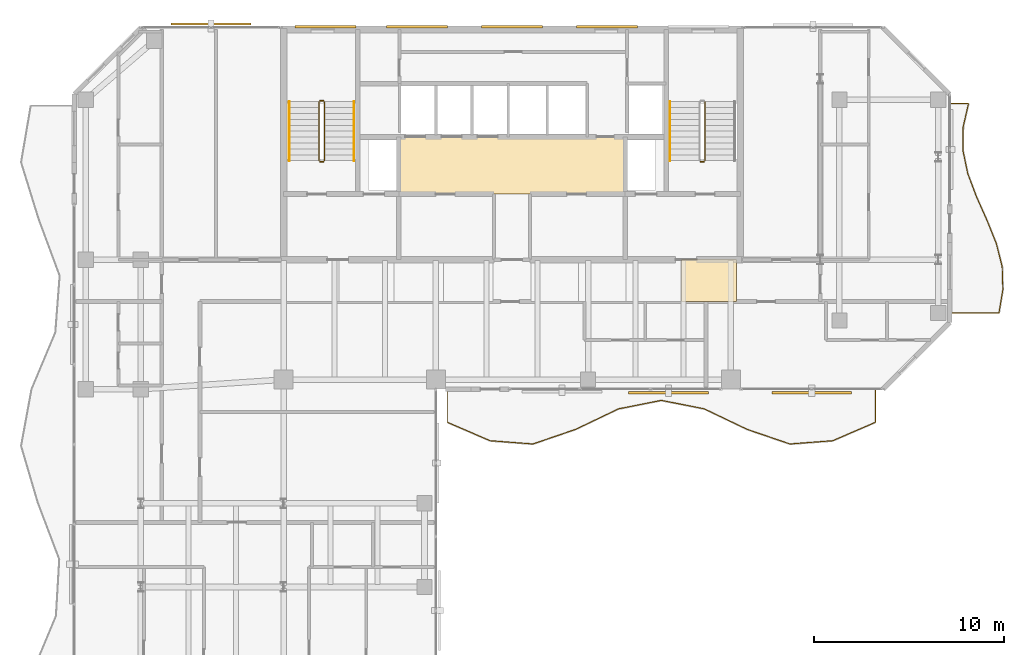
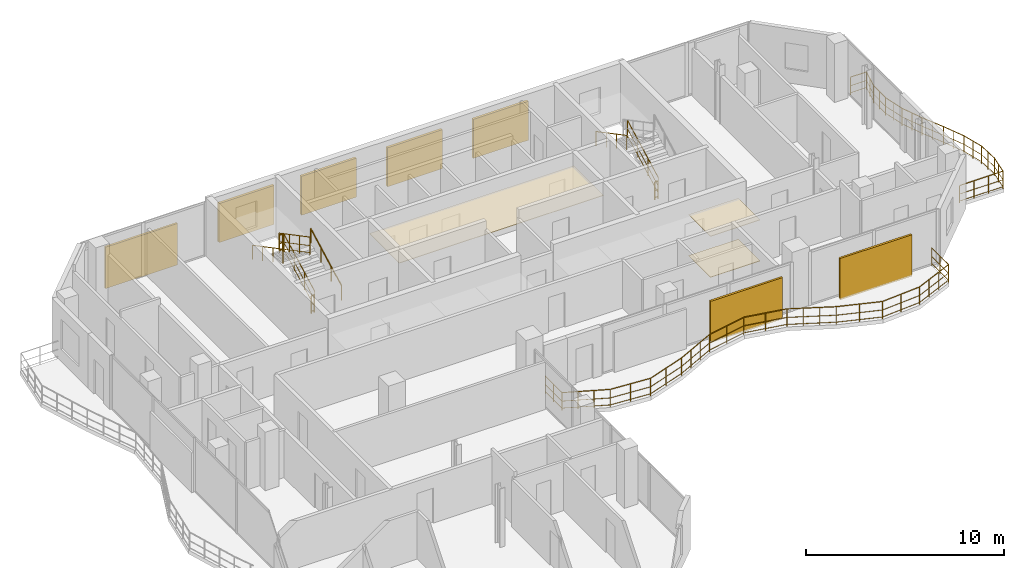
# One storey, part 22 of 23: 11 railings, 7 shading devices, 3 coverings.
"""IFC4 building model written with IfcOpenShell, lengths in metres."""

from ifc_helpers import new_model, si_unit, direction, frame, origin, origin_2d, place, context, subcontext, project, spatial, polyline, rectangle, circle, outline, extrude, material, layer, layer_set, type_object, element, save


model = new_model("IFC4")

# Units and contexts
model_context = context("Model", 3, precision=1e-05, world=origin(), true_north=direction((0.0, 1.0)))
body_context = subcontext(model_context, "Body", "Model", "MODEL_VIEW")
ifc_project = project(units=[si_unit("LENGTHUNIT", "METRE"), si_unit("AREAUNIT", "SQUARE_METRE"), si_unit("VOLUMEUNIT", "CUBIC_METRE"), si_unit("PLANEANGLEUNIT", "RADIAN"), si_unit("MASSUNIT", "GRAM", prefix="KILO")], contexts=[model_context])

# Site, building, storey
site_placement = place(None, origin())
site = spatial("IfcSite", under=ifc_project, at=site_placement, CompositionType="ELEMENT")
building_placement = place(site_placement, origin())
building = spatial("IfcBuilding", under=site, at=building_placement, Name="Catumbela Crestline Tower", CompositionType="ELEMENT")
storey_placement = place(building_placement, frame((0.0, 0.0, 190.2)))
storey = spatial("IfcBuildingStorey", under=building, at=storey_placement, Name="L49", CompositionType="ELEMENT", Elevation=190.2)

# Coverings
ifc_material_1 = material(Name="Mineral-fibre acoustic ceiling")
ifc_layer_1 = layer(ifc_material_1, 0.03, Name="Mineral-fibre acoustic ceiling")
ifc_layer_set_1 = layer_set([ifc_layer_1], Name="Mineral-fibre acoustic ceiling")
covering_type_1 = type_object("IfcCoveringType", Name="CC-AC", PredefinedType="CEILING", material=ifc_layer_set_1)
covering_1_placement = place(storey_placement, frame((0.0, 0.0, 2.65)))
element("IfcCovering", 1, at=covering_1_placement, inside=storey, type_object=covering_type_1, Name="L49 Lift Lobby Acoustic Ceiling", PredefinedType="CEILING", context=body_context, shape_type="SweptSolid", body=[
    extrude(outline(polyline([(22.05, 34.25), (33.95, 34.25), (33.95, 37.25), (22.05, 37.25), (22.05, 34.25)])), origin(), (0.0, 0.0, 1.0), 0.03),
])
covering_2_placement = place(storey_placement, frame((0.0, 0.0, 2.52)))
element("IfcCovering", 2, at=covering_2_placement, inside=storey, type_object=covering_type_1, Name="L49 Corridor Acoustic Ceiling Bay 8", PredefinedType="CEILING", context=body_context, shape_type="SweptSolid", body=[
    extrude(outline(polyline([(36.9, 28.6), (39.8, 28.6), (39.8, 30.8), (36.9, 30.8), (36.9, 28.6)])), origin(), (0.0, 0.0, 1.0), 0.03),
])
ifc_material_2 = material(Name="Angolan grey-ochre granite", Category="masonry")
ifc_layer_2 = layer(ifc_material_2, 0.025, Name="Angolan grey-ochre granite")
ifc_layer_set_2 = layer_set([ifc_layer_2], Name="Angolan grey-ochre granite")
covering_type_2 = type_object("IfcCoveringType", Name="CF-GR", PredefinedType="FLOORING", material=ifc_layer_set_2)
covering_3_placement = place(storey_placement, origin())
element("IfcCovering", 3, at=covering_3_placement, inside=storey, type_object=covering_type_2, Name="L49 Corridor Granite Flooring Bay 8", PredefinedType="FLOORING", context=body_context, shape_type="SweptSolid", body=[
    extrude(outline(polyline([(36.9, 28.6), (39.8, 28.6), (39.8, 30.8), (36.9, 30.8), (36.9, 28.6)])), origin(), (0.0, 0.0, 1.0), 0.025),
])

# Railings
ifc_material_3 = material(Name="Stainless steel EN 1.4401", Category="steel")
railing_type_1 = type_object("IfcRailingType", Name="RB-1100", PredefinedType="BALUSTRADE", material=ifc_material_3)
railing_1_placement = place(storey_placement, frame((24.6, 23.94, 0.0)))
element("IfcRailing", 4, at=railing_1_placement, inside=storey, type_object=railing_type_1, Name="L49 Private Wave Balcony Balustrade 1", PredefinedType="BALUSTRADE", context=body_context, shape_type="SweptSolid", body=[
    extrude(circle(Radius=0.024, at=origin_2d()), frame((0.0, 0.0, 1.076), z_axis=(0.0, -1.0, 0.0), x_axis=(1.0, 0.0, 0.0)), (0.0, 0.0, 1.0), 1.68),
    extrude(circle(Radius=0.0156, at=origin_2d()), frame((0.0, 0.0, 0.55), z_axis=(0.0, -1.0, 0.0), x_axis=(1.0, 0.0, 0.0)), (0.0, 0.0, 1.0), 1.68),
    extrude(circle(Radius=0.0156, at=origin_2d()), frame((0.0, 0.0, 0.12), z_axis=(0.0, -1.0, 0.0), x_axis=(1.0, 0.0, 0.0)), (0.0, 0.0, 1.0), 1.68),
    extrude(circle(Radius=0.024, at=origin_2d()), frame((0.0, -1.68, 1.076), z_axis=(0.918179780553, -0.396163969316, 0.0), x_axis=(0.396163969316, 0.918179780553, 0.0)), (0.0, 0.0, 1.0), 2.4505),
    extrude(circle(Radius=0.0156, at=origin_2d()), frame((0.0, -1.68, 0.55), z_axis=(0.918179780553, -0.396163969316, 0.0), x_axis=(0.396163969316, 0.918179780553, 0.0)), (0.0, 0.0, 1.0), 2.4505),
    extrude(circle(Radius=0.0156, at=origin_2d()), frame((0.0, -1.68, 0.12), z_axis=(0.918179780553, -0.396163969316, 0.0), x_axis=(0.396163969316, 0.918179780553, 0.0)), (0.0, 0.0, 1.0), 2.4505),
    extrude(circle(Radius=0.024, at=origin_2d()), frame((2.25, -2.6508, 1.076), z_axis=(0.997141170455, -0.075561142028, 0.0), x_axis=(0.075561142028, 0.997141170455, 0.0)), (0.0, 0.0, 1.0), 2.2565),
    extrude(circle(Radius=0.0156, at=origin_2d()), frame((2.25, -2.6508, 0.55), z_axis=(0.997141170455, -0.075561142028, 0.0), x_axis=(0.075561142028, 0.997141170455, 0.0)), (0.0, 0.0, 1.0), 2.2565),
    extrude(circle(Radius=0.0156, at=origin_2d()), frame((2.25, -2.6508, 0.12), z_axis=(0.997141170455, -0.075561142028, 0.0), x_axis=(0.075561142028, 0.997141170455, 0.0)), (0.0, 0.0, 1.0), 2.2565),
    extrude(circle(Radius=0.024, at=origin_2d()), frame((4.5, -2.8213, 1.076), z_axis=(0.946065665735, 0.323974931311, 0.0), x_axis=(-0.323974931311, 0.946065665735, 0.0)), (0.0, 0.0, 1.0), 2.3783),
    extrude(circle(Radius=0.0156, at=origin_2d()), frame((4.5, -2.8213, 0.55), z_axis=(0.946065665735, 0.323974931311, 0.0), x_axis=(-0.323974931311, 0.946065665735, 0.0)), (0.0, 0.0, 1.0), 2.3783),
    extrude(circle(Radius=0.0156, at=origin_2d()), frame((4.5, -2.8213, 0.12), z_axis=(0.946065665735, 0.323974931311, 0.0), x_axis=(-0.323974931311, 0.946065665735, 0.0)), (0.0, 0.0, 1.0), 2.3783),
    extrude(circle(Radius=0.024, at=origin_2d()), frame((6.75, -2.0508, 1.076), z_axis=(0.902132186045, 0.431459753513, 0.0), x_axis=(-0.431459753513, 0.902132186045, 0.0)), (0.0, 0.0, 1.0), 2.4941),
    extrude(circle(Radius=0.0156, at=origin_2d()), frame((6.75, -2.0508, 0.55), z_axis=(0.902132186045, 0.431459753513, 0.0), x_axis=(-0.431459753513, 0.902132186045, 0.0)), (0.0, 0.0, 1.0), 2.4941),
    extrude(circle(Radius=0.0156, at=origin_2d()), frame((6.75, -2.0508, 0.12), z_axis=(0.902132186045, 0.431459753513, 0.0), x_axis=(-0.431459753513, 0.902132186045, 0.0)), (0.0, 0.0, 1.0), 2.4941),
    extrude(circle(Radius=0.024, at=origin_2d()), frame((9.0, -0.9747, 1.076), z_axis=(0.981022553047, 0.193893657484, 0.0), x_axis=(-0.193893657484, 0.981022553047, 0.0)), (0.0, 0.0, 1.0), 2.2935),
    extrude(circle(Radius=0.0156, at=origin_2d()), frame((9.0, -0.9747, 0.55), z_axis=(0.981022553047, 0.193893657484, 0.0), x_axis=(-0.193893657484, 0.981022553047, 0.0)), (0.0, 0.0, 1.0), 2.2935),
    extrude(circle(Radius=0.0156, at=origin_2d()), frame((9.0, -0.9747, 0.12), z_axis=(0.981022553047, 0.193893657484, 0.0), x_axis=(-0.193893657484, 0.981022553047, 0.0)), (0.0, 0.0, 1.0), 2.2935),
    extrude(circle(Radius=0.024, at=origin_2d()), frame((11.25, -0.53, 1.076), z_axis=(0.981022553047, -0.193893657484, 0.0), x_axis=(0.193893657484, 0.981022553047, 0.0)), (0.0, 0.0, 1.0), 2.2935),
    extrude(circle(Radius=0.0156, at=origin_2d()), frame((11.25, -0.53, 0.55), z_axis=(0.981022553047, -0.193893657484, 0.0), x_axis=(0.193893657484, 0.981022553047, 0.0)), (0.0, 0.0, 1.0), 2.2935),
    extrude(circle(Radius=0.0156, at=origin_2d()), frame((11.25, -0.53, 0.12), z_axis=(0.981022553047, -0.193893657484, 0.0), x_axis=(0.193893657484, 0.981022553047, 0.0)), (0.0, 0.0, 1.0), 2.2935),
    extrude(circle(Radius=0.024, at=origin_2d()), frame((13.5, -0.9747, 1.076), z_axis=(0.902132186045, -0.431459753513, 0.0), x_axis=(0.431459753513, 0.902132186045, 0.0)), (0.0, 0.0, 1.0), 2.4941),
    extrude(circle(Radius=0.0156, at=origin_2d()), frame((13.5, -0.9747, 0.55), z_axis=(0.902132186045, -0.431459753513, 0.0), x_axis=(0.431459753513, 0.902132186045, 0.0)), (0.0, 0.0, 1.0), 2.4941),
    extrude(circle(Radius=0.0156, at=origin_2d()), frame((13.5, -0.9747, 0.12), z_axis=(0.902132186045, -0.431459753513, 0.0), x_axis=(0.431459753513, 0.902132186045, 0.0)), (0.0, 0.0, 1.0), 2.4941),
    extrude(circle(Radius=0.024, at=origin_2d()), frame((15.75, -2.0508, 1.076), z_axis=(0.946065665735, -0.323974931311, 0.0), x_axis=(0.323974931311, 0.946065665735, 0.0)), (0.0, 0.0, 1.0), 2.3783),
    extrude(circle(Radius=0.0156, at=origin_2d()), frame((15.75, -2.0508, 0.55), z_axis=(0.946065665735, -0.323974931311, 0.0), x_axis=(0.323974931311, 0.946065665735, 0.0)), (0.0, 0.0, 1.0), 2.3783),
    extrude(circle(Radius=0.0156, at=origin_2d()), frame((15.75, -2.0508, 0.12), z_axis=(0.946065665735, -0.323974931311, 0.0), x_axis=(0.323974931311, 0.946065665735, 0.0)), (0.0, 0.0, 1.0), 2.3783),
    extrude(circle(Radius=0.024, at=origin_2d()), frame((18.0, -2.8213, 1.076), z_axis=(0.997141170455, 0.075561142028, 0.0), x_axis=(-0.075561142028, 0.997141170455, 0.0)), (0.0, 0.0, 1.0), 2.2565),
    extrude(circle(Radius=0.0156, at=origin_2d()), frame((18.0, -2.8213, 0.55), z_axis=(0.997141170455, 0.075561142028, 0.0), x_axis=(-0.075561142028, 0.997141170455, 0.0)), (0.0, 0.0, 1.0), 2.2565),
    extrude(circle(Radius=0.0156, at=origin_2d()), frame((18.0, -2.8213, 0.12), z_axis=(0.997141170455, 0.075561142028, 0.0), x_axis=(-0.075561142028, 0.997141170455, 0.0)), (0.0, 0.0, 1.0), 2.2565),
    extrude(circle(Radius=0.024, at=origin_2d()), frame((20.25, -2.6508, 1.076), z_axis=(0.918179780553, 0.396163969316, 0.0), x_axis=(-0.396163969316, 0.918179780553, 0.0)), (0.0, 0.0, 1.0), 2.4505),
    extrude(circle(Radius=0.0156, at=origin_2d()), frame((20.25, -2.6508, 0.55), z_axis=(0.918179780553, 0.396163969316, 0.0), x_axis=(-0.396163969316, 0.918179780553, 0.0)), (0.0, 0.0, 1.0), 2.4505),
    extrude(circle(Radius=0.0156, at=origin_2d()), frame((20.25, -2.6508, 0.12), z_axis=(0.918179780553, 0.396163969316, 0.0), x_axis=(-0.396163969316, 0.918179780553, 0.0)), (0.0, 0.0, 1.0), 2.4505),
    extrude(circle(Radius=0.024, at=origin_2d()), frame((22.5, -1.68, 1.076), z_axis=(0.0, 1.0, 0.0), x_axis=(-1.0, 0.0, 0.0)), (0.0, 0.0, 1.0), 1.68),
    extrude(circle(Radius=0.0156, at=origin_2d()), frame((22.5, -1.68, 0.55), z_axis=(0.0, 1.0, 0.0), x_axis=(-1.0, 0.0, 0.0)), (0.0, 0.0, 1.0), 1.68),
    extrude(circle(Radius=0.0156, at=origin_2d()), frame((22.5, -1.68, 0.12), z_axis=(0.0, 1.0, 0.0), x_axis=(-1.0, 0.0, 0.0)), (0.0, 0.0, 1.0), 1.68),
    extrude(circle(Radius=0.021, at=origin_2d()), origin(), (0.0, 0.0, 1.0), 1.052),
    extrude(circle(Radius=0.021, at=origin_2d()), frame((0.0, -0.84, 0.0)), (0.0, 0.0, 1.0), 1.052),
    extrude(circle(Radius=0.021, at=origin_2d()), frame((0.0, -1.68, 0.0)), (0.0, 0.0, 1.0), 1.052),
    extrude(circle(Radius=0.021, at=origin_2d()), frame((0.75, -2.0036, 0.0)), (0.0, 0.0, 1.0), 1.052),
    extrude(circle(Radius=0.021, at=origin_2d()), frame((1.5, -2.3272, 0.0)), (0.0, 0.0, 1.0), 1.052),
    extrude(circle(Radius=0.021, at=origin_2d()), frame((2.25, -2.6508, 0.0)), (0.0, 0.0, 1.0), 1.052),
    extrude(circle(Radius=0.021, at=origin_2d()), frame((3.375, -2.7361, 0.0)), (0.0, 0.0, 1.0), 1.052),
    extrude(circle(Radius=0.021, at=origin_2d()), frame((4.5, -2.8213, 0.0)), (0.0, 0.0, 1.0), 1.052),
    extrude(circle(Radius=0.021, at=origin_2d()), frame((5.625, -2.4361, 0.0)), (0.0, 0.0, 1.0), 1.052),
    extrude(circle(Radius=0.021, at=origin_2d()), frame((6.75, -2.0508, 0.0)), (0.0, 0.0, 1.0), 1.052),
    extrude(circle(Radius=0.021, at=origin_2d()), frame((7.5, -1.6921, 0.0)), (0.0, 0.0, 1.0), 1.052),
    extrude(circle(Radius=0.021, at=origin_2d()), frame((8.25, -1.3334, 0.0)), (0.0, 0.0, 1.0), 1.052),
    extrude(circle(Radius=0.021, at=origin_2d()), frame((9.0, -0.9747, 0.0)), (0.0, 0.0, 1.0), 1.052),
    extrude(circle(Radius=0.021, at=origin_2d()), frame((10.125, -0.7524, 0.0)), (0.0, 0.0, 1.0), 1.052),
    extrude(circle(Radius=0.021, at=origin_2d()), frame((11.25, -0.53, 0.0)), (0.0, 0.0, 1.0), 1.052),
    extrude(circle(Radius=0.021, at=origin_2d()), frame((12.375, -0.7524, 0.0)), (0.0, 0.0, 1.0), 1.052),
    extrude(circle(Radius=0.021, at=origin_2d()), frame((13.5, -0.9747, 0.0)), (0.0, 0.0, 1.0), 1.052),
    extrude(circle(Radius=0.021, at=origin_2d()), frame((14.25, -1.3334, 0.0)), (0.0, 0.0, 1.0), 1.052),
    extrude(circle(Radius=0.021, at=origin_2d()), frame((15.0, -1.6921, 0.0)), (0.0, 0.0, 1.0), 1.052),
    extrude(circle(Radius=0.021, at=origin_2d()), frame((15.75, -2.0508, 0.0)), (0.0, 0.0, 1.0), 1.052),
    extrude(circle(Radius=0.021, at=origin_2d()), frame((16.875, -2.4361, 0.0)), (0.0, 0.0, 1.0), 1.052),
    extrude(circle(Radius=0.021, at=origin_2d()), frame((18.0, -2.8213, 0.0)), (0.0, 0.0, 1.0), 1.052),
    extrude(circle(Radius=0.021, at=origin_2d()), frame((19.125, -2.7361, 0.0)), (0.0, 0.0, 1.0), 1.052),
    extrude(circle(Radius=0.021, at=origin_2d()), frame((20.25, -2.6508, 0.0)), (0.0, 0.0, 1.0), 1.052),
    extrude(circle(Radius=0.021, at=origin_2d()), frame((21.0, -2.3272, 0.0)), (0.0, 0.0, 1.0), 1.052),
    extrude(circle(Radius=0.021, at=origin_2d()), frame((21.75, -2.0036, 0.0)), (0.0, 0.0, 1.0), 1.052),
    extrude(circle(Radius=0.021, at=origin_2d()), frame((22.5, -1.68, 0.0)), (0.0, 0.0, 1.0), 1.052),
    extrude(circle(Radius=0.021, at=origin_2d()), frame((22.5, -0.84, 0.0)), (0.0, 0.0, 1.0), 1.052),
    extrude(circle(Radius=0.021, at=origin_2d()), frame((22.5, 0.0, 0.0)), (0.0, 0.0, 1.0), 1.052),
])
railing_2_placement = place(storey_placement, frame((51.06, 28.0, 0.0)))
element("IfcRailing", 5, at=railing_2_placement, inside=storey, type_object=railing_type_1, Name="L49 Private Wave Balcony Balustrade 2", PredefinedType="BALUSTRADE", context=body_context, shape_type="SweptSolid", body=[
    extrude(circle(Radius=0.024, at=origin_2d()), frame((0.0, 0.0, 1.076), z_axis=(1.0, 0.0, 0.0), x_axis=(0.0, 1.0, 0.0)), (0.0, 0.0, 1.0), 2.526),
    extrude(circle(Radius=0.0156, at=origin_2d()), frame((0.0, 0.0, 0.55), z_axis=(1.0, 0.0, 0.0), x_axis=(0.0, 1.0, 0.0)), (0.0, 0.0, 1.0), 2.526),
    extrude(circle(Radius=0.0156, at=origin_2d()), frame((0.0, 0.0, 0.12), z_axis=(1.0, 0.0, 0.0), x_axis=(0.0, 1.0, 0.0)), (0.0, 0.0, 1.0), 2.526),
    extrude(circle(Radius=0.024, at=origin_2d()), frame((2.526, 0.0, 1.076), z_axis=(0.164634548744, 0.986354634683, 0.0), x_axis=(-0.986354634683, 0.164634548744, 0.0)), (0.0, 0.0, 1.0), 1.2391),
    extrude(circle(Radius=0.0156, at=origin_2d()), frame((2.526, 0.0, 0.55), z_axis=(0.164634548744, 0.986354634683, 0.0), x_axis=(-0.986354634683, 0.164634548744, 0.0)), (0.0, 0.0, 1.0), 1.2391),
    extrude(circle(Radius=0.0156, at=origin_2d()), frame((2.526, 0.0, 0.12), z_axis=(0.164634548744, 0.986354634683, 0.0), x_axis=(-0.986354634683, 0.164634548744, 0.0)), (0.0, 0.0, 1.0), 1.2391),
    extrude(circle(Radius=0.024, at=origin_2d()), frame((2.73, 1.2222, 1.076), z_axis=(-0.029932580812, 0.999551919915, 0.0), x_axis=(-0.999551919915, -0.029932580812, 0.0)), (0.0, 0.0, 1.0), 1.2227),
    extrude(circle(Radius=0.0156, at=origin_2d()), frame((2.73, 1.2222, 0.55), z_axis=(-0.029932580812, 0.999551919915, 0.0), x_axis=(-0.999551919915, -0.029932580812, 0.0)), (0.0, 0.0, 1.0), 1.2227),
    extrude(circle(Radius=0.0156, at=origin_2d()), frame((2.73, 1.2222, 0.12), z_axis=(-0.029932580812, 0.999551919915, 0.0), x_axis=(-0.999551919915, -0.029932580812, 0.0)), (0.0, 0.0, 1.0), 1.2227),
    extrude(circle(Radius=0.024, at=origin_2d()), frame((2.6934, 2.4444, 1.076), z_axis=(-0.24799586462, 0.968761090843, 0.0), x_axis=(-0.968761090843, -0.24799586462, 0.0)), (0.0, 0.0, 1.0), 1.2617),
    extrude(circle(Radius=0.0156, at=origin_2d()), frame((2.6934, 2.4444, 0.55), z_axis=(-0.24799586462, 0.968761090843, 0.0), x_axis=(-0.968761090843, -0.24799586462, 0.0)), (0.0, 0.0, 1.0), 1.2617),
    extrude(circle(Radius=0.0156, at=origin_2d()), frame((2.6934, 2.4444, 0.12), z_axis=(-0.24799586462, 0.968761090843, 0.0), x_axis=(-0.968761090843, -0.24799586462, 0.0)), (0.0, 0.0, 1.0), 1.2617),
    extrude(circle(Radius=0.024, at=origin_2d()), frame((2.3805, 3.6667, 1.076), z_axis=(-0.373823042127, 0.927500044838, 0.0), x_axis=(-0.927500044838, -0.373823042127, 0.0)), (0.0, 0.0, 1.0), 1.3177),
    extrude(circle(Radius=0.0156, at=origin_2d()), frame((2.3805, 3.6667, 0.55), z_axis=(-0.373823042127, 0.927500044838, 0.0), x_axis=(-0.927500044838, -0.373823042127, 0.0)), (0.0, 0.0, 1.0), 1.3177),
    extrude(circle(Radius=0.0156, at=origin_2d()), frame((2.3805, 3.6667, 0.12), z_axis=(-0.373823042127, 0.927500044838, 0.0), x_axis=(-0.927500044838, -0.373823042127, 0.0)), (0.0, 0.0, 1.0), 1.3177),
    extrude(circle(Radius=0.024, at=origin_2d()), frame((1.8879, 4.8889, 1.076), z_axis=(-0.407759851325, 0.91308920903, 0.0), x_axis=(-0.91308920903, -0.407759851325, 0.0)), (0.0, 0.0, 1.0), 1.3385),
    extrude(circle(Radius=0.0156, at=origin_2d()), frame((1.8879, 4.8889, 0.55), z_axis=(-0.407759851325, 0.91308920903, 0.0), x_axis=(-0.91308920903, -0.407759851325, 0.0)), (0.0, 0.0, 1.0), 1.3385),
    extrude(circle(Radius=0.0156, at=origin_2d()), frame((1.8879, 4.8889, 0.12), z_axis=(-0.407759851325, 0.91308920903, 0.0), x_axis=(-0.91308920903, -0.407759851325, 0.0)), (0.0, 0.0, 1.0), 1.3385),
    extrude(circle(Radius=0.024, at=origin_2d()), frame((1.3421, 6.1111, 1.076), z_axis=(-0.351710928302, 0.936108659779, 0.0), x_axis=(-0.936108659779, -0.351710928302, 0.0)), (0.0, 0.0, 1.0), 1.3056),
    extrude(circle(Radius=0.0156, at=origin_2d()), frame((1.3421, 6.1111, 0.55), z_axis=(-0.351710928302, 0.936108659779, 0.0), x_axis=(-0.936108659779, -0.351710928302, 0.0)), (0.0, 0.0, 1.0), 1.3056),
    extrude(circle(Radius=0.0156, at=origin_2d()), frame((1.3421, 6.1111, 0.12), z_axis=(-0.351710928302, 0.936108659779, 0.0), x_axis=(-0.936108659779, -0.351710928302, 0.0)), (0.0, 0.0, 1.0), 1.3056),
    extrude(circle(Radius=0.024, at=origin_2d()), frame((0.8829, 7.3333, 1.076), z_axis=(-0.204072590492, 0.978955758862, 0.0), x_axis=(-0.978955758862, -0.204072590492, 0.0)), (0.0, 0.0, 1.0), 1.2486),
    extrude(circle(Radius=0.0156, at=origin_2d()), frame((0.8829, 7.3333, 0.55), z_axis=(-0.204072590492, 0.978955758862, 0.0), x_axis=(-0.978955758862, -0.204072590492, 0.0)), (0.0, 0.0, 1.0), 1.2486),
    extrude(circle(Radius=0.0156, at=origin_2d()), frame((0.8829, 7.3333, 0.12), z_axis=(-0.204072590492, 0.978955758862, 0.0), x_axis=(-0.978955758862, -0.204072590492, 0.0)), (0.0, 0.0, 1.0), 1.2486),
    extrude(circle(Radius=0.024, at=origin_2d()), frame((0.6281, 8.5556, 1.076), z_axis=(0.012272026213, 0.999924695851, 0.0), x_axis=(-0.999924695851, 0.012272026213, 0.0)), (0.0, 0.0, 1.0), 1.2223),
    extrude(circle(Radius=0.0156, at=origin_2d()), frame((0.6281, 8.5556, 0.55), z_axis=(0.012272026213, 0.999924695851, 0.0), x_axis=(-0.999924695851, 0.012272026213, 0.0)), (0.0, 0.0, 1.0), 1.2223),
    extrude(circle(Radius=0.0156, at=origin_2d()), frame((0.6281, 8.5556, 0.12), z_axis=(0.012272026213, 0.999924695851, 0.0), x_axis=(-0.999924695851, 0.012272026213, 0.0)), (0.0, 0.0, 1.0), 1.2223),
    extrude(circle(Radius=0.024, at=origin_2d()), frame((0.6431, 9.7778, 1.076), z_axis=(0.223915935273, 0.974608461861, 0.0), x_axis=(-0.974608461861, 0.223915935273, 0.0)), (0.0, 0.0, 1.0), 1.254),
    extrude(circle(Radius=0.0156, at=origin_2d()), frame((0.6431, 9.7778, 0.55), z_axis=(0.223915935273, 0.974608461861, 0.0), x_axis=(-0.974608461861, 0.223915935273, 0.0)), (0.0, 0.0, 1.0), 1.254),
    extrude(circle(Radius=0.0156, at=origin_2d()), frame((0.6431, 9.7778, 0.12), z_axis=(0.223915935273, 0.974608461861, 0.0), x_axis=(-0.974608461861, 0.223915935273, 0.0)), (0.0, 0.0, 1.0), 1.254),
    extrude(circle(Radius=0.024, at=origin_2d()), frame((0.9239, 11.0, 1.076), z_axis=(-1.0, 0.0, 0.0), x_axis=(0.0, -1.0, 0.0)), (0.0, 0.0, 1.0), 0.9239),
    extrude(circle(Radius=0.0156, at=origin_2d()), frame((0.9239, 11.0, 0.55), z_axis=(-1.0, 0.0, 0.0), x_axis=(0.0, -1.0, 0.0)), (0.0, 0.0, 1.0), 0.9239),
    extrude(circle(Radius=0.0156, at=origin_2d()), frame((0.9239, 11.0, 0.12), z_axis=(-1.0, 0.0, 0.0), x_axis=(0.0, -1.0, 0.0)), (0.0, 0.0, 1.0), 0.9239),
    extrude(circle(Radius=0.021, at=origin_2d()), origin(), (0.0, 0.0, 1.0), 1.052),
    extrude(circle(Radius=0.021, at=origin_2d()), frame((0.842, 0.0, 0.0)), (0.0, 0.0, 1.0), 1.052),
    extrude(circle(Radius=0.021, at=origin_2d()), frame((1.684, 0.0, 0.0)), (0.0, 0.0, 1.0), 1.052),
    extrude(circle(Radius=0.021, at=origin_2d()), frame((2.526, 0.0, 0.0)), (0.0, 0.0, 1.0), 1.052),
    extrude(circle(Radius=0.021, at=origin_2d()), frame((2.628, 0.6111, 0.0)), (0.0, 0.0, 1.0), 1.052),
    extrude(circle(Radius=0.021, at=origin_2d()), frame((2.73, 1.2222, 0.0)), (0.0, 0.0, 1.0), 1.052),
    extrude(circle(Radius=0.021, at=origin_2d()), frame((2.7117, 1.8333, 0.0)), (0.0, 0.0, 1.0), 1.052),
    extrude(circle(Radius=0.021, at=origin_2d()), frame((2.6934, 2.4444, 0.0)), (0.0, 0.0, 1.0), 1.052),
    extrude(circle(Radius=0.021, at=origin_2d()), frame((2.5369, 3.0556, 0.0)), (0.0, 0.0, 1.0), 1.052),
    extrude(circle(Radius=0.021, at=origin_2d()), frame((2.3805, 3.6667, 0.0)), (0.0, 0.0, 1.0), 1.052),
    extrude(circle(Radius=0.021, at=origin_2d()), frame((2.1342, 4.2778, 0.0)), (0.0, 0.0, 1.0), 1.052),
    extrude(circle(Radius=0.021, at=origin_2d()), frame((1.8879, 4.8889, 0.0)), (0.0, 0.0, 1.0), 1.052),
    extrude(circle(Radius=0.021, at=origin_2d()), frame((1.615, 5.5, 0.0)), (0.0, 0.0, 1.0), 1.052),
    extrude(circle(Radius=0.021, at=origin_2d()), frame((1.3421, 6.1111, 0.0)), (0.0, 0.0, 1.0), 1.052),
    extrude(circle(Radius=0.021, at=origin_2d()), frame((1.1125, 6.7222, 0.0)), (0.0, 0.0, 1.0), 1.052),
    extrude(circle(Radius=0.021, at=origin_2d()), frame((0.8829, 7.3333, 0.0)), (0.0, 0.0, 1.0), 1.052),
    extrude(circle(Radius=0.021, at=origin_2d()), frame((0.7555, 7.9444, 0.0)), (0.0, 0.0, 1.0), 1.052),
    extrude(circle(Radius=0.021, at=origin_2d()), frame((0.6281, 8.5556, 0.0)), (0.0, 0.0, 1.0), 1.052),
    extrude(circle(Radius=0.021, at=origin_2d()), frame((0.6356, 9.1667, 0.0)), (0.0, 0.0, 1.0), 1.052),
    extrude(circle(Radius=0.021, at=origin_2d()), frame((0.6431, 9.7778, 0.0)), (0.0, 0.0, 1.0), 1.052),
    extrude(circle(Radius=0.021, at=origin_2d()), frame((0.7835, 10.3889, 0.0)), (0.0, 0.0, 1.0), 1.052),
    extrude(circle(Radius=0.021, at=origin_2d()), frame((0.9239, 11.0, 0.0)), (0.0, 0.0, 1.0), 1.052),
    extrude(circle(Radius=0.021, at=origin_2d()), frame((0.0, 11.0, 0.0)), (0.0, 0.0, 1.0), 1.052),
])
railing_type_2 = type_object("IfcRailingType", Name="RG-1100", PredefinedType="GUARDRAIL", material=ifc_material_3)
railing_3_placement = place(storey_placement, frame((18.14, 36.0, 0.1636)))
element("IfcRailing", 6, at=railing_3_placement, inside=storey, type_object=railing_type_2, Name="L49 ST-01 stair guard 1", PredefinedType="GUARDRAIL", context=body_context, shape_type="SweptSolid", body=[
    extrude(circle(Radius=0.024, at=origin_2d()), frame((0.0, 0.0, 1.076), z_axis=(0.0, 0.884350731049, 0.466823076222), x_axis=(-1.0, 0.0, 0.0)), (0.0, 0.0, 1.0), 3.5054),
    extrude(circle(Radius=0.0156, at=origin_2d()), frame((0.0, 0.0, 0.55), z_axis=(0.0, 0.884350731049, 0.466823076222), x_axis=(-1.0, 0.0, 0.0)), (0.0, 0.0, 1.0), 3.5054),
    extrude(circle(Radius=0.0156, at=origin_2d()), frame((0.0, 0.0, 0.12), z_axis=(0.0, 0.884350731049, 0.466823076222), x_axis=(-1.0, 0.0, 0.0)), (0.0, 0.0, 1.0), 3.5054),
    extrude(circle(Radius=0.021, at=origin_2d()), origin(), (0.0, 0.0, 1.0), 1.052),
    extrude(circle(Radius=0.021, at=origin_2d()), frame((0.0, 1.0333, 0.5455)), (0.0, 0.0, 1.0), 1.052),
    extrude(circle(Radius=0.021, at=origin_2d()), frame((0.0, 2.0667, 1.0909)), (0.0, 0.0, 1.0), 1.052),
    extrude(circle(Radius=0.021, at=origin_2d()), frame((0.0, 3.1, 1.6364)), (0.0, 0.0, 1.0), 1.052),
])
railing_4_placement = place(storey_placement, frame((18.09, 39.15, 1.8)))
element("IfcRailing", 7, at=railing_4_placement, inside=storey, type_object=railing_type_2, Name="L49 ST-01 stair guard 2", PredefinedType="GUARDRAIL", context=body_context, shape_type="SweptSolid", body=[
    extrude(circle(Radius=0.024, at=origin_2d()), frame((0.0, 0.0, 1.076), z_axis=(-1.0, 0.0, 0.0), x_axis=(0.0, -1.0, 0.0)), (0.0, 0.0, 1.0), 0.18),
    extrude(circle(Radius=0.0156, at=origin_2d()), frame((0.0, 0.0, 0.55), z_axis=(-1.0, 0.0, 0.0), x_axis=(0.0, -1.0, 0.0)), (0.0, 0.0, 1.0), 0.18),
    extrude(circle(Radius=0.0156, at=origin_2d()), frame((0.0, 0.0, 0.12), z_axis=(-1.0, 0.0, 0.0), x_axis=(0.0, -1.0, 0.0)), (0.0, 0.0, 1.0), 0.18),
    extrude(circle(Radius=0.021, at=origin_2d()), origin(), (0.0, 0.0, 1.0), 1.052),
    extrude(circle(Radius=0.021, at=origin_2d()), frame((-0.18, 0.0, 0.0)), (0.0, 0.0, 1.0), 1.052),
])
railing_5_placement = place(storey_placement, frame((17.86, 39.1, 1.9636)))
element("IfcRailing", 8, at=railing_5_placement, inside=storey, type_object=railing_type_2, Name="L49 ST-01 stair guard 3", PredefinedType="GUARDRAIL", context=body_context, shape_type="SweptSolid", body=[
    extrude(circle(Radius=0.024, at=origin_2d()), frame((0.0, 0.0, 1.076), z_axis=(0.0, -0.884350731049, 0.466823076222), x_axis=(1.0, 0.0, 0.0)), (0.0, 0.0, 1.0), 3.5054),
    extrude(circle(Radius=0.0156, at=origin_2d()), frame((0.0, 0.0, 0.55), z_axis=(0.0, -0.884350731049, 0.466823076222), x_axis=(1.0, 0.0, 0.0)), (0.0, 0.0, 1.0), 3.5054),
    extrude(circle(Radius=0.0156, at=origin_2d()), frame((0.0, 0.0, 0.12), z_axis=(0.0, -0.884350731049, 0.466823076222), x_axis=(1.0, 0.0, 0.0)), (0.0, 0.0, 1.0), 3.5054),
    extrude(circle(Radius=0.021, at=origin_2d()), origin(), (0.0, 0.0, 1.0), 1.052),
    extrude(circle(Radius=0.021, at=origin_2d()), frame((0.0, -1.0333, 0.5455)), (0.0, 0.0, 1.0), 1.052),
    extrude(circle(Radius=0.021, at=origin_2d()), frame((0.0, -2.0667, 1.0909)), (0.0, 0.0, 1.0), 1.052),
    extrude(circle(Radius=0.021, at=origin_2d()), frame((0.0, -3.1, 1.6364)), (0.0, 0.0, 1.0), 1.052),
])
railing_6_placement = place(storey_placement, frame((18.09, 35.95, 0.0)))
element("IfcRailing", 9, at=railing_6_placement, inside=storey, type_object=railing_type_2, Name="L49 ST-01 stair guard 4", PredefinedType="GUARDRAIL", context=body_context, shape_type="SweptSolid", body=[
    extrude(circle(Radius=0.024, at=origin_2d()), frame((0.0, 0.0, 1.076), z_axis=(-1.0, 0.0, 0.0), x_axis=(0.0, -1.0, 0.0)), (0.0, 0.0, 1.0), 0.18),
    extrude(circle(Radius=0.0156, at=origin_2d()), frame((0.0, 0.0, 0.55), z_axis=(-1.0, 0.0, 0.0), x_axis=(0.0, -1.0, 0.0)), (0.0, 0.0, 1.0), 0.18),
    extrude(circle(Radius=0.0156, at=origin_2d()), frame((0.0, 0.0, 0.12), z_axis=(-1.0, 0.0, 0.0), x_axis=(0.0, -1.0, 0.0)), (0.0, 0.0, 1.0), 0.18),
    extrude(circle(Radius=0.021, at=origin_2d()), origin(), (0.0, 0.0, 1.0), 1.052),
    extrude(circle(Radius=0.021, at=origin_2d()), frame((-0.18, 0.0, 0.0)), (0.0, 0.0, 1.0), 1.052),
])
railing_7_placement = place(storey_placement, frame((38.14, 36.0, 0.1636)))
element("IfcRailing", 10, at=railing_7_placement, inside=storey, type_object=railing_type_2, Name="L49 ST-02 stair guard 1", PredefinedType="GUARDRAIL", context=body_context, shape_type="SweptSolid", body=[
    extrude(circle(Radius=0.024, at=origin_2d()), frame((0.0, 0.0, 1.076), z_axis=(0.0, 0.884350731049, 0.466823076222), x_axis=(-1.0, 0.0, 0.0)), (0.0, 0.0, 1.0), 3.5054),
    extrude(circle(Radius=0.0156, at=origin_2d()), frame((0.0, 0.0, 0.55), z_axis=(0.0, 0.884350731049, 0.466823076222), x_axis=(-1.0, 0.0, 0.0)), (0.0, 0.0, 1.0), 3.5054),
    extrude(circle(Radius=0.0156, at=origin_2d()), frame((0.0, 0.0, 0.12), z_axis=(0.0, 0.884350731049, 0.466823076222), x_axis=(-1.0, 0.0, 0.0)), (0.0, 0.0, 1.0), 3.5054),
    extrude(circle(Radius=0.021, at=origin_2d()), origin(), (0.0, 0.0, 1.0), 1.052),
    extrude(circle(Radius=0.021, at=origin_2d()), frame((0.0, 1.0333, 0.5455)), (0.0, 0.0, 1.0), 1.052),
    extrude(circle(Radius=0.021, at=origin_2d()), frame((0.0, 2.0667, 1.0909)), (0.0, 0.0, 1.0), 1.052),
    extrude(circle(Radius=0.021, at=origin_2d()), frame((0.0, 3.1, 1.6364)), (0.0, 0.0, 1.0), 1.052),
])
railing_8_placement = place(storey_placement, frame((38.09, 35.95, 0.0)))
element("IfcRailing", 11, at=railing_8_placement, inside=storey, type_object=railing_type_2, Name="L49 ST-02 stair guard 4", PredefinedType="GUARDRAIL", context=body_context, shape_type="SweptSolid", body=[
    extrude(circle(Radius=0.024, at=origin_2d()), frame((0.0, 0.0, 1.076), z_axis=(-1.0, 0.0, 0.0), x_axis=(0.0, -1.0, 0.0)), (0.0, 0.0, 1.0), 0.18),
    extrude(circle(Radius=0.0156, at=origin_2d()), frame((0.0, 0.0, 0.55), z_axis=(-1.0, 0.0, 0.0), x_axis=(0.0, -1.0, 0.0)), (0.0, 0.0, 1.0), 0.18),
    extrude(circle(Radius=0.0156, at=origin_2d()), frame((0.0, 0.0, 0.12), z_axis=(-1.0, 0.0, 0.0), x_axis=(0.0, -1.0, 0.0)), (0.0, 0.0, 1.0), 0.18),
    extrude(circle(Radius=0.021, at=origin_2d()), origin(), (0.0, 0.0, 1.0), 1.052),
    extrude(circle(Radius=0.021, at=origin_2d()), frame((-0.18, 0.0, 0.0)), (0.0, 0.0, 1.0), 1.052),
])
railing_type_3 = type_object("IfcRailingType", Name="RH-0900", PredefinedType="HANDRAIL", material=ifc_material_3)
railing_9_placement = place(storey_placement, frame((19.7, 36.0, 0.1636)))
element("IfcRailing", 12, at=railing_9_placement, inside=storey, type_object=railing_type_3, Name="L49 ST-01 stair handrail 1", PredefinedType="HANDRAIL", context=body_context, shape_type="SweptSolid", body=[
    extrude(circle(Radius=0.024, at=origin_2d()), frame((0.0, 0.0, 0.876), z_axis=(0.0, 0.884350731049, 0.466823076222), x_axis=(-1.0, 0.0, 0.0)), (0.0, 0.0, 1.0), 3.5054),
    extrude(circle(Radius=0.021, at=origin_2d()), origin(), (0.0, 0.0, 1.0), 0.852),
    extrude(circle(Radius=0.021, at=origin_2d()), frame((0.0, 1.0333, 0.5455)), (0.0, 0.0, 1.0), 0.852),
    extrude(circle(Radius=0.021, at=origin_2d()), frame((0.0, 2.0667, 1.0909)), (0.0, 0.0, 1.0), 0.852),
    extrude(circle(Radius=0.021, at=origin_2d()), frame((0.0, 3.1, 1.6364)), (0.0, 0.0, 1.0), 0.852),
])
for number, where, name in (
    (13, (16.3, 39.1, 1.9636), "L49 ST-01 stair handrail 2"),
    (14, (36.3, 39.1, 1.9636), "L49 ST-02 stair handrail 2"),
):
    element("IfcRailing", number, at=place(storey_placement, frame(where)), inside=storey, type_object=railing_type_3, Name=name, PredefinedType="HANDRAIL", context=body_context, shape_type="SweptSolid", body=[
        extrude(circle(Radius=0.024, at=origin_2d()), frame((0.0, 0.0, 0.876), z_axis=(0.0, -0.884350731049, 0.466823076222), x_axis=(1.0, 0.0, 0.0)), (0.0, 0.0, 1.0), 3.5054),
        extrude(circle(Radius=0.021, at=origin_2d()), origin(), (0.0, 0.0, 1.0), 0.852),
        extrude(circle(Radius=0.021, at=origin_2d()), frame((0.0, -1.0333, 0.5455)), (0.0, 0.0, 1.0), 0.852),
        extrude(circle(Radius=0.021, at=origin_2d()), frame((0.0, -2.0667, 1.0909)), (0.0, 0.0, 1.0), 0.852),
        extrude(circle(Radius=0.021, at=origin_2d()), frame((0.0, -3.1, 1.6364)), (0.0, 0.0, 1.0), 0.852),
    ])

# Shading devices
ifc_material_4 = material(Name="Extruded terracotta ceramic", Category="masonry")
shading_device_type_1 = type_object("IfcShadingDeviceType", Name="ST-180", PredefinedType="USERDEFINED", material=ifc_material_4)
for number, where, z_axis, x_axis, name in (
    (15, (18.2, 43.04, 0.55), (0.0, 0.0, 1.0), (1.0, 0.0, 0.0), "L49 Rear Core Terracotta Brise-Soleil Screen 571"),
    (16, (33.0, 43.04, 0.55), (0.0, 0.0, 1.0), (1.0, 0.0, 0.0), "L49 Rear Core Terracotta Brise-Soleil Screen 574"),
):
    element("IfcShadingDevice", number, at=place(storey_placement, frame(where, z_axis=z_axis, x_axis=x_axis)), inside=storey, type_object=shading_device_type_1, Name=name, ObjectType="SCREEN", PredefinedType="USERDEFINED", context=body_context, shape_type="SweptSolid", body=[
        extrude(rectangle(XDim=3.2, YDim=0.14, at=origin_2d()), origin(), (0.0, 0.0, 1.0), 2.4),
    ])
shading_device_type_2 = type_object("IfcShadingDeviceType", Name="ST-260", PredefinedType="USERDEFINED", material=ifc_material_4)
shading_device_1_placement = place(storey_placement, frame((28.0, 43.04, 0.55), z_axis=(0.0, 0.0, 1.0), x_axis=(1.0, 0.0, 0.0)))
element("IfcShadingDevice", 17, at=shading_device_1_placement, inside=storey, type_object=shading_device_type_2, Name="L49 Rear Core Terracotta Brise-Soleil Screen 573", ObjectType="SCREEN", PredefinedType="USERDEFINED", context=body_context, shape_type="SweptSolid", body=[
    extrude(rectangle(XDim=3.2, YDim=0.14, at=origin_2d()), origin(), (0.0, 0.0, 1.0), 2.4),
])
shading_device_type_3 = type_object("IfcShadingDeviceType", Name="ST-340", PredefinedType="USERDEFINED", material=ifc_material_4)
shading_device_2_placement = place(storey_placement, frame((23.0, 43.04, 0.55), z_axis=(0.0, 0.0, 1.0), x_axis=(1.0, 0.0, 0.0)))
element("IfcShadingDevice", 18, at=shading_device_2_placement, inside=storey, type_object=shading_device_type_3, Name="L49 Rear Core Terracotta Brise-Soleil Screen 572", ObjectType="SCREEN", PredefinedType="USERDEFINED", context=body_context, shape_type="SweptSolid", body=[
    extrude(rectangle(XDim=3.2, YDim=0.14, at=origin_2d()), origin(), (0.0, 0.0, 1.0), 2.4),
])
for number, where, z_axis, x_axis, name in (
    (19, (36.2125, 23.813, -0.1), (0.0, 0.0, 1.0), (1.0, 0.0, 0.0), "L49 Perforated Terracotta Solar Screen 580 (340 mm)"),
    (20, (43.75, 23.813, -0.1), (0.0, 0.0, 1.0), (1.0, 0.0, 0.0), "L49 Perforated Terracotta Solar Screen 581 (340 mm)"),
    (21, (12.18, 43.187, -0.1), (0.0, 0.0, 1.0), (-1.0, 0.0, 0.0), "L49 Perforated Terracotta Solar Screen 584 (340 mm)"),
):
    element("IfcShadingDevice", number, at=place(storey_placement, frame(where, z_axis=z_axis, x_axis=x_axis)), inside=storey, type_object=shading_device_type_3, Name=name, ObjectType="SCREEN", PredefinedType="USERDEFINED", context=body_context, shape_type="SweptSolid", body=[
        extrude(rectangle(XDim=4.2, YDim=0.12, at=origin_2d()), origin(), (0.0, 0.0, 1.0), 2.55),
    ])

save(model, "model.ifc")
